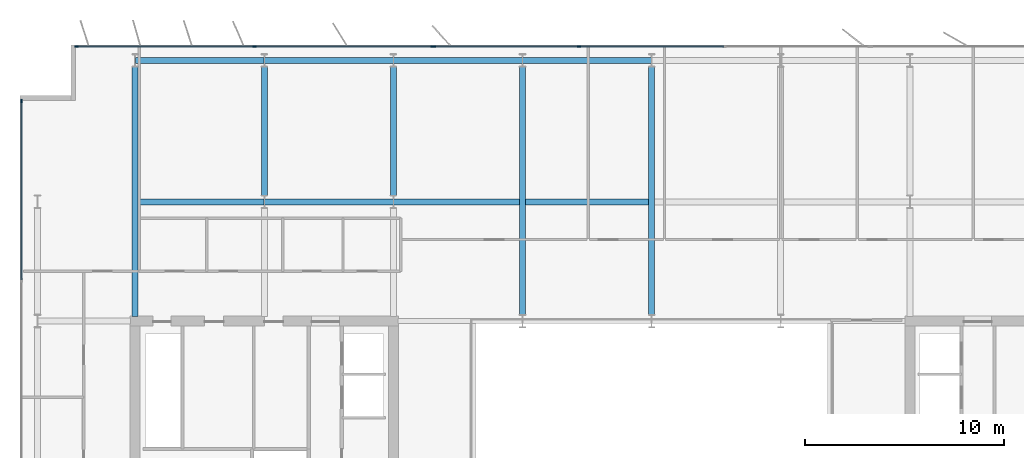
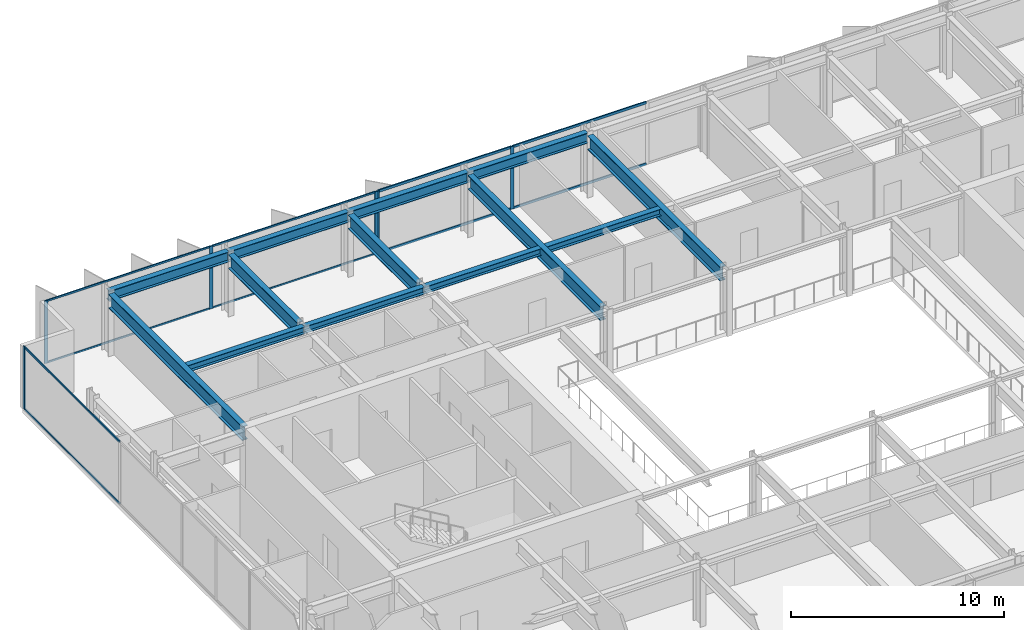
# One storey, part 8 of 19: 16 members, 13 beams, 3 elements without a shape of their own.
"""IFC4 building model written with IfcOpenShell, lengths in metres."""

from ifc_helpers import new_model, si_unit, direction, frame, origin, origin_2d, place, context, subcontext, project, spatial, rectangle, i_section, extrude, material, layer, layer_set, material_profile, profile_set, type_object, element, aggregate, save


model = new_model("IFC4")

# Units and contexts
model_context = context("Model", 3, precision=1e-05, world=origin(), true_north=direction((0.0, 1.0)))
body_context = subcontext(model_context, "Body", "Model", "MODEL_VIEW")
ifc_project = project(units=[si_unit("LENGTHUNIT", "METRE"), si_unit("AREAUNIT", "SQUARE_METRE"), si_unit("VOLUMEUNIT", "CUBIC_METRE"), si_unit("PLANEANGLEUNIT", "RADIAN"), si_unit("MASSUNIT", "GRAM", prefix="KILO")], contexts=[model_context])

# Site, building, storey
site_placement = place(None, origin())
site = spatial("IfcSite", under=ifc_project, at=site_placement, CompositionType="ELEMENT")
building_placement = place(site_placement, origin())
building = spatial("IfcBuilding", under=site, at=building_placement, Name="Putna Gate Headquarters", CompositionType="ELEMENT")
storey_placement = place(building_placement, frame((0.0, 0.0, 259.39990234375)))
storey = spatial("IfcBuildingStorey", under=building, at=storey_placement, Name="L65", CompositionType="ELEMENT", Elevation=259.39990234375)

# Beams
ifc_material_1 = material(Name="Steel S355J2", Category="steel")
ifc_material_profile_1 = material_profile(ifc_material_1, i_section(OverallWidth=0.300048828125, OverallDepth=0.800048828125, WebThickness=0.017578125, FlangeThickness=0.032958984375, at=origin_2d()), Name="Steel S355J2")
ifc_profile_set_1 = profile_set([ifc_material_profile_1], Name="Steel S355J2")
beam_type_1 = type_object("IfcBeamType", Name="BM-GIRD-P-HEB800", PredefinedType="USERDEFINED", material=ifc_profile_set_1)
beam_1_placement = place(storey_placement, frame((13.0, 33.235107421875, 3.18798828125), z_axis=(0.0, 1.0, 0.0), x_axis=(-1.0, 0.0, 0.0)))
element("IfcBeam", 1, at=beam_1_placement, inside=storey, type_object=beam_type_1, Name="L65 North Primary Girder X13", ObjectType="GIRDER", PredefinedType="USERDEFINED", context=body_context, shape_type="SweptSolid", body=[
    extrude(i_section(OverallWidth=0.300048828125, OverallDepth=0.800048828125, WebThickness=0.017578125, FlangeThickness=0.032958984375, at=origin_2d()), origin(), (0.0, 0.0, 1.0), 12.56298828125),
])
for number, where, z_axis, x_axis, name in (
    (2, (19.5, 39.322021484375, 3.18798828125), (0.0, 1.0, 0.0), (-1.0, 0.0, 0.0), "L65 North Primary Girder X19-2"),
    (3, (26.0, 39.322021484375, 3.18798828125), (0.0, 1.0, 0.0), (-1.0, 0.0, 0.0), "L65 North Primary Girder X26-2"),
):
    element("IfcBeam", number, at=place(storey_placement, frame(where, z_axis=z_axis, x_axis=x_axis)), inside=storey, type_object=beam_type_1, Name=name, ObjectType="GIRDER", PredefinedType="USERDEFINED", context=body_context, shape_type="SweptSolid", body=[
        extrude(i_section(OverallWidth=0.300048828125, OverallDepth=0.800048828125, WebThickness=0.017578125, FlangeThickness=0.032958984375, at=origin_2d()), origin(), (0.0, 0.0, 1.0), 6.47607421875),
    ])
for number, where, z_axis, x_axis, name in (
    (4, (32.5, 33.322021484375, 3.18798828125), (0.0, 1.0, 0.0), (-1.0, 0.0, 0.0), "L65 North Primary Girder X32"),
    (5, (39.0, 33.322021484375, 3.18798828125), (0.0, 1.0, 0.0), (-1.0, 0.0, 0.0), "L65 North Primary Girder X39"),
):
    element("IfcBeam", number, at=place(storey_placement, frame(where, z_axis=z_axis, x_axis=x_axis)), inside=storey, type_object=beam_type_1, Name=name, ObjectType="GIRDER", PredefinedType="USERDEFINED", context=body_context, shape_type="SweptSolid", body=[
        extrude(i_section(OverallWidth=0.300048828125, OverallDepth=0.800048828125, WebThickness=0.017578125, FlangeThickness=0.032958984375, at=origin_2d()), origin(), (0.0, 0.0, 1.0), 12.47607421875),
    ])
ifc_material_profile_2 = material_profile(ifc_material_1, i_section(OverallWidth=0.300048828125, OverallDepth=0.389892578125, WebThickness=0.010986328125, FlangeThickness=0.01904296875, at=origin_2d()), Name="Steel S355J2")
ifc_profile_set_2 = profile_set([ifc_material_profile_2], Name="Steel S355J2")
beam_type_2 = type_object("IfcBeamType", Name="BM-SEC-Z5-HEA400", PredefinedType="BEAM", material=ifc_profile_set_2)
beam_2_placement = place(storey_placement, frame((13.154052734375, 39.0, 3.39306640625), z_axis=(1.0, 0.0, 0.0), x_axis=(0.0, 1.0, 0.0)))
element("IfcBeam", 6, at=beam_2_placement, inside=storey, type_object=beam_type_2, Name="L65 North Secondary Beam 1", PredefinedType="BEAM", context=body_context, shape_type="SweptSolid", body=[
    extrude(i_section(OverallWidth=0.300048828125, OverallDepth=0.389892578125, WebThickness=0.010986328125, FlangeThickness=0.01904296875, at=origin_2d()), origin(), (0.0, 0.0, 1.0), 6.33984375),
])
beam_3_placement = place(storey_placement, frame((19.506103515625, 39.0, 3.39306640625), z_axis=(1.0, 0.0, 0.0), x_axis=(0.0, 1.0, 0.0)))
element("IfcBeam", 7, at=beam_3_placement, inside=storey, type_object=beam_type_2, Name="L65 North Secondary Beam 2", PredefinedType="BEAM", context=body_context, shape_type="SweptSolid", body=[
    extrude(i_section(OverallWidth=0.300048828125, OverallDepth=0.389892578125, WebThickness=0.010986328125, FlangeThickness=0.01904296875, at=origin_2d()), origin(), (0.0, 0.0, 1.0), 6.48779296875),
])
beam_4_placement = place(storey_placement, frame((26.006103515625, 39.0, 3.39306640625), z_axis=(1.0, 0.0, 0.0), x_axis=(0.0, 1.0, 0.0)))
element("IfcBeam", 8, at=beam_4_placement, inside=storey, type_object=beam_type_2, Name="L65 North Secondary Beam 3", PredefinedType="BEAM", context=body_context, shape_type="SweptSolid", body=[
    extrude(i_section(OverallWidth=0.300048828125, OverallDepth=0.389892578125, WebThickness=0.010986328125, FlangeThickness=0.01904296875, at=origin_2d()), origin(), (0.0, 0.0, 1.0), 6.33984375),
])
beam_5_placement = place(storey_placement, frame((32.654052734375, 39.0, 3.39306640625), z_axis=(1.0, 0.0, 0.0), x_axis=(0.0, 1.0, 0.0)))
element("IfcBeam", 9, at=beam_5_placement, inside=storey, type_object=beam_type_2, Name="L65 North Secondary Beam 4", PredefinedType="BEAM", context=body_context, shape_type="SweptSolid", body=[
    extrude(i_section(OverallWidth=0.300048828125, OverallDepth=0.389892578125, WebThickness=0.010986328125, FlangeThickness=0.01904296875, at=origin_2d()), origin(), (0.0, 0.0, 1.0), 6.19189453125),
])
ifc_material_profile_3 = material_profile(ifc_material_1, i_section(OverallWidth=0.300048828125, OverallDepth=0.590087890625, WebThickness=0.012939453125, FlangeThickness=0.02490234375, at=origin_2d()), Name="Steel S355J2")
ifc_profile_set_3 = profile_set([ifc_material_profile_3], Name="Steel S355J2")
beam_type_3 = type_object("IfcBeamType", Name="BM-SPAN-Z4-HEA600", PredefinedType="SPANDREL", material=ifc_profile_set_3)
for number, where, z_axis, x_axis, name in (
    (10, (13.006103515625, 46.1201171875, 3.293212890625), (1.0, 0.0, 0.0), (0.0, 1.0, 0.0), "L65 N Perimeter Spandrel 1"),
    (11, (19.506103515625, 46.1201171875, 3.293212890625), (1.0, 0.0, 0.0), (0.0, 1.0, 0.0), "L65 N Perimeter Spandrel 2"),
    (12, (26.006103515625, 46.1201171875, 3.293212890625), (1.0, 0.0, 0.0), (0.0, 1.0, 0.0), "L65 N Perimeter Spandrel 3"),
    (13, (32.506103515625, 46.1201171875, 3.293212890625), (1.0, 0.0, 0.0), (0.0, 1.0, 0.0), "L65 N Perimeter Spandrel 4"),
):
    element("IfcBeam", number, at=place(storey_placement, frame(where, z_axis=z_axis, x_axis=x_axis)), inside=storey, type_object=beam_type_3, Name=name, PredefinedType="SPANDREL", context=body_context, shape_type="SweptSolid", body=[
        extrude(i_section(OverallWidth=0.300048828125, OverallDepth=0.590087890625, WebThickness=0.012939453125, FlangeThickness=0.02490234375, at=origin_2d()), origin(), (0.0, 0.0, 1.0), 6.48779296875),
    ])

# Curtain wall, members
ifc_material_2 = material(Name="Anodised bronze aluminium curtain wall", Category="aluminium")
ifc_layer_1 = layer(ifc_material_2, 0.179931640625)
ifc_layer_set_1 = layer_set([ifc_layer_1], Name="Anodised bronze aluminium curtain wall")
curtain_wall_type_1 = type_object("IfcCurtainWallType", Name="CW-SYS-Z5", PredefinedType="USERDEFINED", material=ifc_layer_set_1)
curtain_wall_1_placement = place(storey_placement, origin())
curtain_wall_1 = element("IfcCurtainWall", 14, at=curtain_wall_1_placement, inside=storey, type_object=curtain_wall_type_1, Name="L65 North West Curtain Wall", ObjectType="STICK CURTAIN WALL", PredefinedType="USERDEFINED")
ifc_material_3 = material(Name="Anodised bronze aluminium EN AW-6060", Category="aluminium")
ifc_material_profile_4 = material_profile(ifc_material_3, rectangle(XDim=0.070068359375, YDim=0.179931640625, at=origin_2d()), Name="Anodised bronze aluminium EN AW-6060")
ifc_profile_set_4 = profile_set([ifc_material_profile_4], Name="Anodised bronze aluminium EN AW-6060")
member_type_1 = type_object("IfcMemberType", Name="MULL-CWM-5", PredefinedType="MULLION", material=ifc_profile_set_4)
member_1_placement = place(storey_placement, frame((10.034912109375, 46.820068359375, 0.0), z_axis=(0.0, 0.0, 1.0), x_axis=(0.0, 1.0, 0.0)))
member_1 = element("IfcMember", 15, at=member_1_placement, type_object=member_type_1, Name="CWS-5 mullion 1", PredefinedType="MULLION", context=body_context, shape_type="SweptSolid", body=[
    extrude(rectangle(XDim=0.070068359375, YDim=0.179931640625, at=origin_2d()), origin(), (0.0, 0.0, 1.0), 3.588134765625),
])
member_2_placement = place(storey_placement, frame((19.0, 46.820068359375, 0.0), z_axis=(0.0, 0.0, 1.0), x_axis=(0.0, 1.0, 0.0)))
member_2 = element("IfcMember", 16, at=member_2_placement, type_object=member_type_1, Name="CWS-5 mullion 2", PredefinedType="MULLION", context=body_context, shape_type="SweptSolid", body=[
    extrude(rectangle(XDim=0.070068359375, YDim=0.179931640625, at=origin_2d()), origin(), (0.0, 0.0, 1.0), 3.588134765625),
])
member_3_placement = place(storey_placement, frame((27.965087890625, 46.820068359375, 0.0), z_axis=(0.0, 0.0, 1.0), x_axis=(0.0, 1.0, 0.0)))
member_3 = element("IfcMember", 17, at=member_3_placement, type_object=member_type_1, Name="CWS-5 mullion 3", PredefinedType="MULLION", context=body_context, shape_type="SweptSolid", body=[
    extrude(rectangle(XDim=0.070068359375, YDim=0.179931640625, at=origin_2d()), origin(), (0.0, 0.0, 1.0), 3.588134765625),
])

# Curtain wall, member
curtain_wall_2_placement = place(storey_placement, origin())
curtain_wall_2 = element("IfcCurtainWall", 18, at=curtain_wall_2_placement, inside=storey, type_object=curtain_wall_type_1, Name="L65 West Curtain Wall", ObjectType="STICK CURTAIN WALL", PredefinedType="USERDEFINED")
member_4_placement = place(storey_placement, frame((7.280029296875, 44.06494140625, 0.0), z_axis=(0.0, 0.0, 1.0), x_axis=(-1.0, 0.0, 0.0)))
member_4 = element("IfcMember", 19, at=member_4_placement, type_object=member_type_1, Name="CWS-5 mullion 5", PredefinedType="MULLION", context=body_context, shape_type="SweptSolid", body=[
    extrude(rectangle(XDim=0.070068359375, YDim=0.179931640625, at=origin_2d()), origin(), (0.0, 0.0, 1.0), 3.588134765625),
])

# Curtain wall, members
ifc_layer_2 = layer(ifc_material_2, 0.179931640625)
ifc_layer_set_2 = layer_set([ifc_layer_2], Name="Anodised bronze aluminium curtain wall")
curtain_wall_type_2 = type_object("IfcCurtainWallType", Name="CW-SYS-ATR", PredefinedType="USERDEFINED", material=ifc_layer_set_2)
curtain_wall_3_placement = place(storey_placement, origin())
curtain_wall_3 = element("IfcCurtainWall", 20, at=curtain_wall_3_placement, inside=storey, type_object=curtain_wall_type_2, Name="L65 North Atrium Clear Glazing", ObjectType="ATRIUM GLAZING", PredefinedType="USERDEFINED")
ifc_material_profile_5 = material_profile(ifc_material_3, rectangle(XDim=0.070068359375, YDim=0.179931640625, at=origin_2d()), Name="Anodised bronze aluminium EN AW-6060")
ifc_profile_set_5 = profile_set([ifc_material_profile_5], Name="Anodised bronze aluminium EN AW-6060")
member_type_2 = type_object("IfcMemberType", Name="MULL-CWM-AT", PredefinedType="MULLION", material=ifc_profile_set_5)
member_5_placement = place(storey_placement, frame((28.034912109375, 46.820068359375, 0.0), z_axis=(0.0, 0.0, 1.0), x_axis=(0.0, 1.0, 0.0)))
member_5 = element("IfcMember", 21, at=member_5_placement, type_object=member_type_2, Name="CWS-AT mullion 1", PredefinedType="MULLION", context=body_context, shape_type="SweptSolid", body=[
    extrude(rectangle(XDim=0.070068359375, YDim=0.179931640625, at=origin_2d()), origin(), (0.0, 0.0, 1.0), 3.588134765625),
])
member_6_placement = place(storey_placement, frame((35.333251953125, 46.820068359375, 0.0), z_axis=(0.0, 0.0, 1.0), x_axis=(0.0, 1.0, 0.0)))
member_6 = element("IfcMember", 22, at=member_6_placement, type_object=member_type_2, Name="CWS-AT mullion 2", PredefinedType="MULLION", context=body_context, shape_type="SweptSolid", body=[
    extrude(rectangle(XDim=0.070068359375, YDim=0.179931640625, at=origin_2d()), origin(), (0.0, 0.0, 1.0), 3.588134765625),
])

# Member
ifc_material_profile_6 = material_profile(ifc_material_3, rectangle(XDim=0.06005859375, YDim=0.10009765625, at=origin_2d()), Name="Anodised bronze aluminium EN AW-6060")
ifc_profile_set_6 = profile_set([ifc_material_profile_6], Name="Anodised bronze aluminium EN AW-6060")
member_type_3 = type_object("IfcMemberType", Name="TRAN-CWT-5", PredefinedType="USERDEFINED", material=ifc_profile_set_6)
member_7_placement = place(storey_placement, frame((10.070068359375, 46.820068359375, 0.030029296875), z_axis=(1.0, 0.0, 0.0), x_axis=(0.0, 1.0, 0.0)))
member_7 = element("IfcMember", 23, at=member_7_placement, type_object=member_type_3, Name="CWS-5 transom 1.1", ObjectType="TRANSOM", PredefinedType="USERDEFINED", context=body_context, shape_type="SweptSolid", body=[
    extrude(rectangle(XDim=0.06005859375, YDim=0.10009765625, at=origin_2d()), origin(), (0.0, 0.0, 1.0), 8.89501953125),
])

member_8_placement = place(storey_placement, frame((10.070068359375, 46.820068359375, 3.55810546875), z_axis=(1.0, 0.0, 0.0), x_axis=(0.0, 1.0, 0.0)))
member_8 = element("IfcMember", 24, at=member_8_placement, type_object=member_type_3, Name="CWS-5 transom 1.2", ObjectType="TRANSOM", PredefinedType="USERDEFINED", context=body_context, shape_type="SweptSolid", body=[
    extrude(rectangle(XDim=0.06005859375, YDim=0.10009765625, at=origin_2d()), origin(), (0.0, 0.0, 1.0), 8.89501953125),
])

member_9_placement = place(storey_placement, frame((19.034912109375, 46.820068359375, 0.030029296875), z_axis=(1.0, 0.0, 0.0), x_axis=(0.0, 1.0, 0.0)))
member_9 = element("IfcMember", 25, at=member_9_placement, type_object=member_type_3, Name="CWS-5 transom 2.1", ObjectType="TRANSOM", PredefinedType="USERDEFINED", context=body_context, shape_type="SweptSolid", body=[
    extrude(rectangle(XDim=0.06005859375, YDim=0.10009765625, at=origin_2d()), origin(), (0.0, 0.0, 1.0), 8.89501953125),
])

member_10_placement = place(storey_placement, frame((19.034912109375, 46.820068359375, 3.55810546875), z_axis=(1.0, 0.0, 0.0), x_axis=(0.0, 1.0, 0.0)))
member_10 = element("IfcMember", 26, at=member_10_placement, type_object=member_type_3, Name="CWS-5 transom 2.2", ObjectType="TRANSOM", PredefinedType="USERDEFINED", context=body_context, shape_type="SweptSolid", body=[
    extrude(rectangle(XDim=0.06005859375, YDim=0.10009765625, at=origin_2d()), origin(), (0.0, 0.0, 1.0), 8.89501953125),
])

aggregate(curtain_wall_1, [member_1, member_2, member_3, member_7, member_8, member_9, member_10])

member_11_placement = place(storey_placement, frame((7.280029296875, 35.0849609375, 0.030029296875), z_axis=(0.0, 1.0, 0.0), x_axis=(-1.0, 0.0, 0.0)))
member_11 = element("IfcMember", 27, at=member_11_placement, type_object=member_type_3, Name="CWS-5 transom 4.1", ObjectType="TRANSOM", PredefinedType="USERDEFINED", context=body_context, shape_type="SweptSolid", body=[
    extrude(rectangle(XDim=0.06005859375, YDim=0.10009765625, at=origin_2d()), origin(), (0.0, 0.0, 1.0), 8.945068359375),
])

member_12_placement = place(storey_placement, frame((7.280029296875, 35.0849609375, 3.55810546875), z_axis=(0.0, 1.0, 0.0), x_axis=(-1.0, 0.0, 0.0)))
member_12 = element("IfcMember", 28, at=member_12_placement, type_object=member_type_3, Name="CWS-5 transom 4.2", ObjectType="TRANSOM", PredefinedType="USERDEFINED", context=body_context, shape_type="SweptSolid", body=[
    extrude(rectangle(XDim=0.06005859375, YDim=0.10009765625, at=origin_2d()), origin(), (0.0, 0.0, 1.0), 8.945068359375),
])

aggregate(curtain_wall_2, [member_4, member_11, member_12])

ifc_material_profile_7 = material_profile(ifc_material_3, rectangle(XDim=0.070068359375, YDim=0.139892578125, at=origin_2d()), Name="Anodised bronze aluminium EN AW-6060")
ifc_profile_set_7 = profile_set([ifc_material_profile_7], Name="Anodised bronze aluminium EN AW-6060")
member_type_4 = type_object("IfcMemberType", Name="TRAN-CWT-AT", PredefinedType="USERDEFINED", material=ifc_profile_set_7)
member_13_placement = place(storey_placement, frame((28.070068359375, 46.820068359375, 0.03515625), z_axis=(1.0, 0.0, 0.0), x_axis=(0.0, 1.0, 0.0)))
member_13 = element("IfcMember", 29, at=member_13_placement, type_object=member_type_4, Name="CWS-AT transom 1.1", ObjectType="TRANSOM", PredefinedType="USERDEFINED", context=body_context, shape_type="SweptSolid", body=[
    extrude(rectangle(XDim=0.070068359375, YDim=0.139892578125, at=origin_2d()), origin(), (0.0, 0.0, 1.0), 7.228271484375),
])

member_14_placement = place(storey_placement, frame((28.070068359375, 46.820068359375, 3.552978515625), z_axis=(1.0, 0.0, 0.0), x_axis=(0.0, 1.0, 0.0)))
member_14 = element("IfcMember", 30, at=member_14_placement, type_object=member_type_4, Name="CWS-AT transom 1.2", ObjectType="TRANSOM", PredefinedType="USERDEFINED", context=body_context, shape_type="SweptSolid", body=[
    extrude(rectangle(XDim=0.070068359375, YDim=0.139892578125, at=origin_2d()), origin(), (0.0, 0.0, 1.0), 7.228271484375),
])

member_15_placement = place(storey_placement, frame((35.368408203125, 46.820068359375, 0.03515625), z_axis=(1.0, 0.0, 0.0), x_axis=(0.0, 1.0, 0.0)))
member_15 = element("IfcMember", 31, at=member_15_placement, type_object=member_type_4, Name="CWS-AT transom 2.1", ObjectType="TRANSOM", PredefinedType="USERDEFINED", context=body_context, shape_type="SweptSolid", body=[
    extrude(rectangle(XDim=0.070068359375, YDim=0.139892578125, at=origin_2d()), origin(), (0.0, 0.0, 1.0), 7.26318359375),
])

member_16_placement = place(storey_placement, frame((35.368408203125, 46.820068359375, 3.552978515625), z_axis=(1.0, 0.0, 0.0), x_axis=(0.0, 1.0, 0.0)))
member_16 = element("IfcMember", 32, at=member_16_placement, type_object=member_type_4, Name="CWS-AT transom 2.2", ObjectType="TRANSOM", PredefinedType="USERDEFINED", context=body_context, shape_type="SweptSolid", body=[
    extrude(rectangle(XDim=0.070068359375, YDim=0.139892578125, at=origin_2d()), origin(), (0.0, 0.0, 1.0), 7.26318359375),
])

aggregate(curtain_wall_3, [member_5, member_6, member_13, member_14, member_15, member_16])

save(model, "model.ifc")
